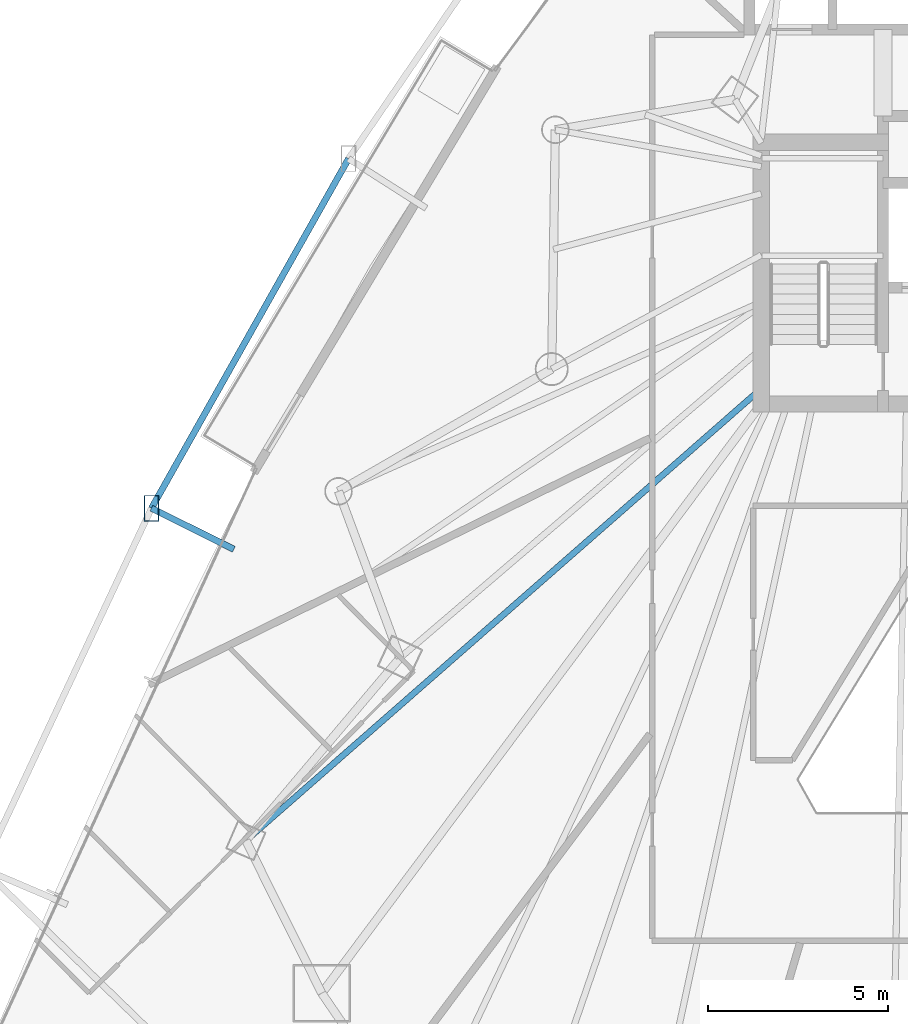
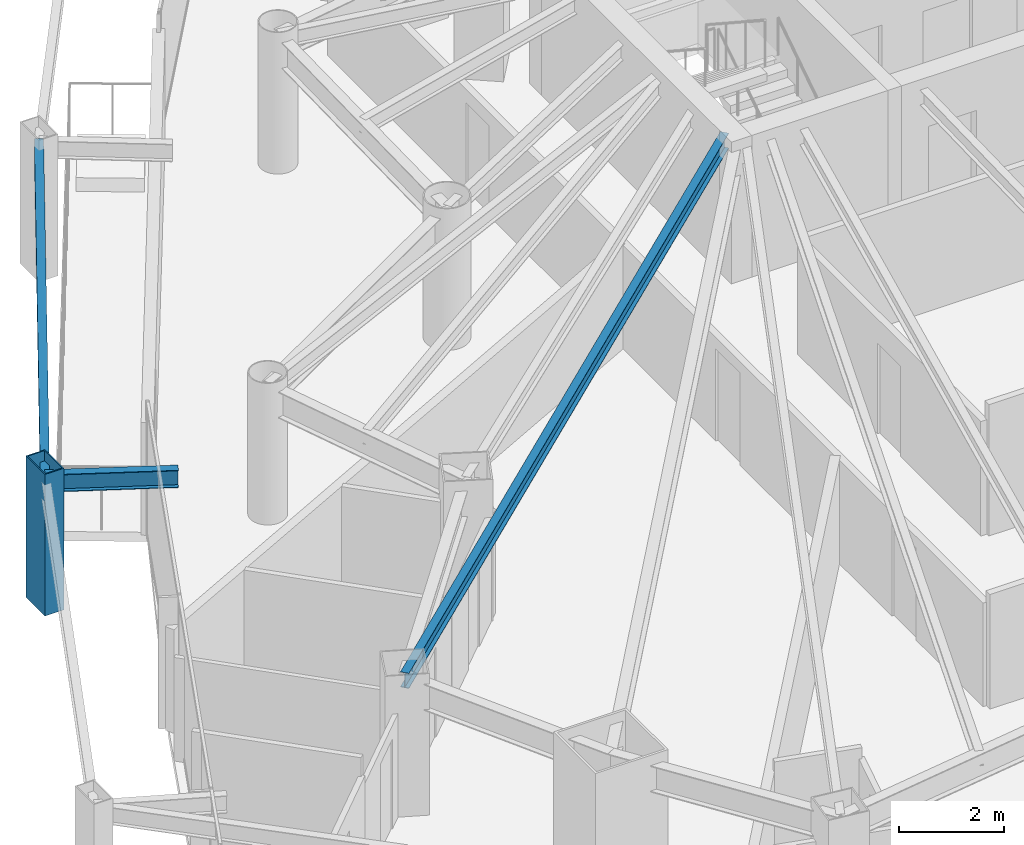
# One storey, part 9 of 35: 3 beams, 1 member.
"""IFC4 building model written with IfcOpenShell, lengths in metres."""

from ifc_helpers import new_model, si_unit, direction, frame, origin, origin_2d, place, context, subcontext, project, spatial, hollow_rectangle, i_section, extrude, material, material_profile, profile_set, type_object, element, save


model = new_model("IFC4")

# Units and contexts
model_context = context("Model", 3, precision=1e-05, world=origin(), true_north=direction((0.0, 1.0)))
body_context = subcontext(model_context, "Body", "Model", "MODEL_VIEW")
ifc_project = project(units=[si_unit("LENGTHUNIT", "METRE"), si_unit("AREAUNIT", "SQUARE_METRE"), si_unit("VOLUMEUNIT", "CUBIC_METRE"), si_unit("PLANEANGLEUNIT", "RADIAN"), si_unit("MASSUNIT", "GRAM", prefix="KILO")], contexts=[model_context])

# Site, building, storey
site_placement = place(None, origin())
site = spatial("IfcSite", under=ifc_project, at=site_placement, CompositionType="ELEMENT")
building_placement = place(site_placement, origin())
building = spatial("IfcBuilding", under=site, at=building_placement, Name="Orvanel Arch Residences", CompositionType="ELEMENT")
storey_placement = place(building_placement, frame((0.0, 0.0, 33.5)))
storey = spatial("IfcBuildingStorey", under=building, at=storey_placement, Name="L08", CompositionType="ELEMENT", Elevation=33.5)

# Beam
ifc_material_1 = material(Name="Structural steel AS/NZS 3679.1 Grade 300 (300 MPa)", Category="steel")
ifc_material_profile_1 = material_profile(ifc_material_1, i_section(OverallWidth=0.1708984375, OverallDepth=0.35595703125, WebThickness=0.00732421875, FlangeThickness=0.011474609375, at=origin_2d()), Name="360UB50.7")
ifc_profile_set_1 = profile_set([ifc_material_profile_1], Name="Structural steel AS/NZS 3679.1 Grade 300 (300 MPa)")
beam_type_1 = type_object("IfcBeamType", Name="BJ-360UB", PredefinedType="JOIST", material=ifc_profile_set_1)
beam_1_placement = place(storey_placement, frame((26.375, 27.10009765625, 2.882080078125), z_axis=(-0.751924114057, -0.659249669472, 0.0), x_axis=(0.659249669472, -0.751924114057, 0.0)))
element("IfcBeam", 1, at=beam_1_placement, inside=storey, type_object=beam_type_1, Name="L08 MW Wing Floor Joist", PredefinedType="JOIST", context=body_context, shape_type="SweptSolid", body=[
    extrude(i_section(OverallWidth=0.1708984375, OverallDepth=0.35595703125, WebThickness=0.00732421875, FlangeThickness=0.011474609375, at=origin_2d()), origin(), (0.0, 0.0, 1.0), 18.9912109375),
])

# Member
ifc_material_2 = material(Name="Structural steel AS/NZS 3678 Grade 350", Category="steel")
ifc_material_profile_2 = material_profile(ifc_material_2, hollow_rectangle(XDim=0.419921875, YDim=0.719970703125, WallThickness=0.02490234375, at=origin_2d()), Name="RHS720x420x25")
ifc_profile_set_2 = profile_set([ifc_material_profile_2], Name="Structural steel AS/NZS 3678 Grade 350")
member_type = type_object("IfcMemberType", Name="CH-720RHS-EXT", PredefinedType="CHORD", material=ifc_profile_set_2)
member_placement = place(storey_placement, frame((9.47998046875, 23.785888671875, 0.0), z_axis=(0.0, 0.0, 1.0), x_axis=(1.0, 0.0, 0.0)))
element("IfcMember", 2, at=member_placement, inside=storey, type_object=member_type, Name="L08 Outer Perimeter Frame Post 03", PredefinedType="CHORD", context=body_context, shape_type="SweptSolid", body=[
    extrude(hollow_rectangle(XDim=0.419921875, YDim=0.719970703125, WallThickness=0.02490234375, at=origin_2d()), origin(), (0.0, 0.0, 1.0), 3.300048828125),
])

# Beams
ifc_material_profile_3 = material_profile(ifc_material_1, i_section(OverallWidth=0.177978515625, OverallDepth=0.406005859375, WebThickness=0.0078125, FlangeThickness=0.0126953125, at=origin_2d()), Name="410UB59.7")
ifc_profile_set_3 = profile_set([ifc_material_profile_3], Name="Structural steel AS/NZS 3679.1 Grade 300 (300 MPa)")
beam_type_2 = type_object("IfcBeamType", Name="OB-410UB-EXT", PredefinedType="SPANDREL", material=ifc_profile_set_3)
beam_2_placement = place(storey_placement, frame((14.93994140625, 33.469970703125, 2.85693359375), z_axis=(-0.491126388143, -0.871088325527, 0.0), x_axis=(0.871088325527, -0.491126388143, 0.0)))
element("IfcBeam", 3, at=beam_2_placement, inside=storey, type_object=beam_type_2, Name="L08 Outer Perimeter Floor Ring Beam 02", PredefinedType="SPANDREL", context=body_context, shape_type="SweptSolid", body=[
    extrude(i_section(OverallWidth=0.177978515625, OverallDepth=0.406005859375, WebThickness=0.0078125, FlangeThickness=0.0126953125, at=origin_2d()), origin(), (0.0, 0.0, 1.0), 11.1171875),
])
beam_3_placement = place(storey_placement, frame((11.761962890625, 22.64892578125, 2.85693359375), z_axis=(-0.895058306483, 0.445949131624, 0.0), x_axis=(-0.445949131624, -0.895058306483, 0.0)))
element("IfcBeam", 4, at=beam_3_placement, inside=storey, type_object=beam_type_2, Name="L08 Outer Frame Radial Tie Beam 03", PredefinedType="SPANDREL", context=body_context, shape_type="SweptSolid", body=[
    extrude(i_section(OverallWidth=0.177978515625, OverallDepth=0.406005859375, WebThickness=0.0078125, FlangeThickness=0.0126953125, at=origin_2d()), origin(), (0.0, 0.0, 1.0), 2.549560546875),
])

save(model, "model.ifc")
